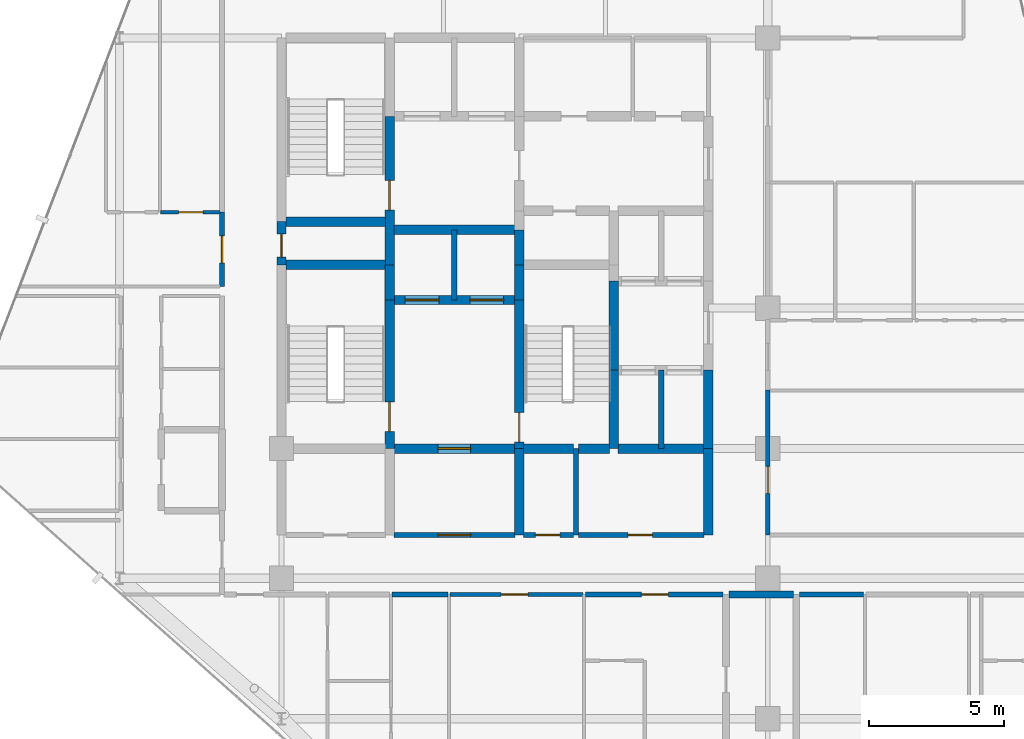
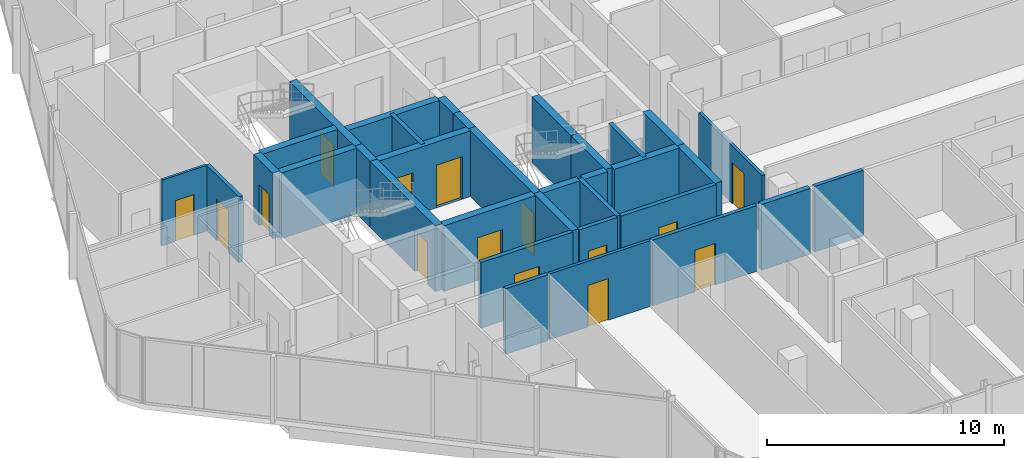
# One storey, part 24 of 29: 34 walls, 15 doors, 15 openings.
"""IFC4 building model written with IfcOpenShell, lengths in metres."""

from ifc_helpers import new_model, si_unit, direction, frame, frame_2d, origin, place, context, subcontext, project, spatial, rectangle, extrude, material, layer, layer_set, type_object, element, fill, save


model = new_model("IFC4")

# Units and contexts
model_context = context("Model", 3, precision=1e-05, world=origin(), true_north=direction((0.0, 1.0)))
body_context = subcontext(model_context, "Body", "Model", "MODEL_VIEW")
ifc_project = project(units=[si_unit("LENGTHUNIT", "METRE"), si_unit("AREAUNIT", "SQUARE_METRE"), si_unit("VOLUMEUNIT", "CUBIC_METRE"), si_unit("PLANEANGLEUNIT", "RADIAN"), si_unit("MASSUNIT", "GRAM", prefix="KILO")], contexts=[model_context])

# Site, building, storey
site_placement = place(None, origin())
site = spatial("IfcSite", under=ifc_project, at=site_placement, CompositionType="ELEMENT")
building_placement = place(site_placement, origin())
building = spatial("IfcBuilding", under=site, at=building_placement, Name="Keshet Zoharim Tower", CompositionType="ELEMENT")
storey_placement = place(building_placement, frame((0.0, 0.0, 188.39990234375)))
storey = spatial("IfcBuildingStorey", under=building, at=storey_placement, Name="L46", CompositionType="ELEMENT", Elevation=188.39990234375)

# Wall, opening, door
ifc_material_1 = material(Name="Gypsum Plasterboard", Category="gypsum")
ifc_layer_1 = layer(ifc_material_1, 0.14990234375)
ifc_layer_set_1 = layer_set([ifc_layer_1], Name="Gypsum Plasterboard")
wall_type_1 = type_object("IfcWallType", Name="WL-CLIN-150", PredefinedType="STANDARD", material=ifc_layer_set_1)
wall_1_placement = place(storey_placement, frame((33.0, 19.510009765625, 0.0), z_axis=(0.0, 0.0, 1.0), x_axis=(0.0, 1.0, 0.0)))
wall_1 = element("IfcWall", 1, at=wall_1_placement, inside=storey, type_object=wall_type_1, Name="L46 Interior Wall 071", PredefinedType="STANDARD", context=body_context, shape_type="SweptSolid", body=[
    extrude(rectangle(XDim=5.35009765625, YDim=0.14990234375, at=frame_2d((2.675048828125, 0.0))), origin(), (0.0, 0.0, 1.0), 2.989990234375),
])
opening_1_placement = place(wall_1_placement, frame((1.533935546875, 0.0, 0.0)))
opening_1 = element("IfcOpeningElement", 2, at=opening_1_placement, cuts=wall_1, Name="Opening D-F310", PredefinedType="OPENING", context=body_context, shape_type="SweptSolid", body=[
    extrude(rectangle(XDim=1.0, YDim=2.14990234375, at=frame_2d((0.5, 1.074951171875))), frame((0.0, 0.0849609375, 0.0), z_axis=(0.0, -1.0, 0.0), x_axis=(1.0, 0.0, 0.0)), (0.0, 0.0, 1.0), 0.169921875),
])
ifc_material_2 = material(Name="Hardwood Timber", Category="wood")
door_type_1 = type_object("IfcDoorType", Name="DR-FD30-100", OperationType="NOTDEFINED", PredefinedType="DOOR", material=ifc_material_2)
door_1_placement = place(opening_1_placement, origin())
door_1 = element("IfcDoor", 3, at=door_1_placement, inside=storey, type_object=door_type_1, Name="L46 South East Residents Services Suite Door 2", OperationType="SINGLE_SWING_LEFT", OverallHeight=2.14990234375, OverallWidth=1.0, PredefinedType="DOOR", context=body_context, shape_type="SweptSolid", body=[
    extrude(rectangle(XDim=1.0, YDim=2.14990234375, at=frame_2d((0.5, 1.074951171875))), frame((0.0, 0.02490234375, 0.0), z_axis=(0.0, -1.0, 0.0), x_axis=(1.0, 0.0, 0.0)), (0.0, 0.0, 1.0), 0.050048828125),
])
fill(opening_1, door_1)

wall_2_placement = place(storey_placement, frame((21.2451171875, 17.300048828125, 0.0), z_axis=(0.0, 0.0, 1.0), x_axis=(1.0, 0.0, 0.0)))
wall_2 = element("IfcWall", 4, at=wall_2_placement, inside=storey, type_object=wall_type_1, Name="L46 Interior Wall 122", PredefinedType="STANDARD", context=body_context, shape_type="SweptSolid", body=[
    extrude(rectangle(XDim=4.909912109375, YDim=0.14990234375, at=frame_2d((2.455078125, 0.0))), origin(), (0.0, 0.0, 1.0), 3.39013671875),
])
opening_2_placement = place(wall_2_placement, frame((1.884033203125, 0.0, 0.0)))
opening_2 = element("IfcOpeningElement", 5, at=opening_2_placement, cuts=wall_2, Name="Opening D-F310", PredefinedType="OPENING", context=body_context, shape_type="SweptSolid", body=[
    extrude(rectangle(XDim=1.0, YDim=2.14990234375, at=frame_2d((0.5, 1.074951171875))), frame((0.0, 0.0849609375, 0.0), z_axis=(0.0, -1.0, 0.0), x_axis=(1.0, 0.0, 0.0)), (0.0, 0.0, 1.0), 0.169921875),
])
door_2_placement = place(opening_2_placement, origin())
door_2 = element("IfcDoor", 6, at=door_2_placement, inside=storey, type_object=door_type_1, Name="L46 Residents Co-Working Office Door", OperationType="SINGLE_SWING_LEFT", OverallHeight=2.14990234375, OverallWidth=1.0, PredefinedType="DOOR", context=body_context, shape_type="SweptSolid", body=[
    extrude(rectangle(XDim=1.0, YDim=2.14990234375, at=frame_2d((0.5, 1.074951171875))), frame((0.0, 0.02490234375, 0.0), z_axis=(0.0, -1.0, 0.0), x_axis=(1.0, 0.0, 0.0)), (0.0, 0.0, 1.0), 0.050048828125),
])
fill(opening_2, door_2)

ifc_material_3 = material(Name="Concrete C60/75", Category="concrete")
ifc_layer_2 = layer(ifc_material_3, 0.35009765625)
ifc_layer_set_2 = layer_set([ifc_layer_2], Name="Concrete C60/75")
wall_type_2 = type_object("IfcWallType", Name="WL-CORE-350", PredefinedType="SHEAR", material=ifc_layer_set_2)
wall_3_placement = place(storey_placement, frame((15.0, 29.5, 0.0), z_axis=(0.0, 0.0, 1.0), x_axis=(0.0, 1.0, 0.0)))
wall_3 = element("IfcWall", 7, at=wall_3_placement, inside=storey, type_object=wall_type_2, Name="L46 Core Shear Wall 018", PredefinedType="SHEAR", context=body_context, shape_type="SweptSolid", body=[
    extrude(rectangle(XDim=1.60009765625, YDim=0.35009765625, at=frame_2d((0.800048828125, 0.0))), origin(), (0.0, 0.0, 1.0), 3.39013671875),
])
opening_3_placement = place(wall_3_placement, frame((0.287109375, 0.0, 0.0)))
opening_3 = element("IfcOpeningElement", 8, at=opening_3_placement, cuts=wall_3, Name="Opening D-RS85", PredefinedType="OPENING", context=body_context, shape_type="SweptSolid", body=[
    extrude(rectangle(XDim=0.85009765625, YDim=2.10009765625, at=frame_2d((0.425048828125, 1.050048828125))), frame((0.0, 0.18505859375, 0.0), z_axis=(0.0, -1.0, 0.0), x_axis=(1.0, 0.0, 0.0)), (0.0, 0.0, 1.0), 0.3701171875),
])
door_type_2 = type_object("IfcDoorType", Name="DR-RIS-085", OperationType="NOTDEFINED", PredefinedType="DOOR", material=ifc_material_2)
door_3_placement = place(opening_3_placement, origin())
door_3 = element("IfcDoor", 9, at=door_3_placement, inside=storey, type_object=door_type_2, Name="L46 Electrical Riser Access Cupboard Door", OperationType="SINGLE_SWING_LEFT", OverallHeight=2.10009765625, OverallWidth=0.85009765625, PredefinedType="DOOR", context=body_context, shape_type="SweptSolid", body=[
    extrude(rectangle(XDim=0.85009765625, YDim=2.10009765625, at=frame_2d((0.425048828125, 1.050048828125))), frame((0.0, 0.02490234375, 0.0), z_axis=(0.0, -1.0, 0.0), x_axis=(1.0, 0.0, 0.0)), (0.0, 0.0, 1.0), 0.050048828125),
])
fill(opening_3, door_3)

wall_4_placement = place(storey_placement, frame((19.0, 22.699951171875, 0.0), z_axis=(0.0, 0.0, 1.0), x_axis=(0.0, 1.0, 0.0)))
wall_4 = element("IfcWall", 10, at=wall_4_placement, inside=storey, type_object=wall_type_2, Name="L46 Core Shear Wall 025", PredefinedType="SHEAR", context=body_context, shape_type="SweptSolid", body=[
    extrude(rectangle(XDim=5.5, YDim=0.35009765625, at=frame_2d((2.75, 0.0))), origin(), (0.0, 0.0, 1.0), 3.39013671875),
])
opening_4_placement = place(wall_4_placement, frame((0.631103515625, 0.0, 0.0)))
opening_4 = element("IfcOpeningElement", 11, at=opening_4_placement, cuts=wall_4, Name="Opening D-F611", PredefinedType="OPENING", context=body_context, shape_type="SweptSolid", body=[
    extrude(rectangle(XDim=1.10009765625, YDim=2.14990234375, at=frame_2d((0.550048828125, 1.074951171875))), frame((0.0, 0.18505859375, 0.0), z_axis=(0.0, -1.0, 0.0), x_axis=(1.0, 0.0, 0.0)), (0.0, 0.0, 1.0), 0.3701171875),
])
door_type_3 = type_object("IfcDoorType", Name="DR-FD60-110", OperationType="NOTDEFINED", PredefinedType="DOOR", material=ifc_material_2)
door_4_placement = place(opening_4_placement, origin())
door_4 = element("IfcDoor", 12, at=door_4_placement, inside=storey, type_object=door_type_3, Name="L46 Exit Stair ST-01 Fire Door", OperationType="SINGLE_SWING_LEFT", OverallHeight=2.14990234375, OverallWidth=1.10009765625, PredefinedType="DOOR", context=body_context, shape_type="SweptSolid", body=[
    extrude(rectangle(XDim=1.10009765625, YDim=2.14990234375, at=frame_2d((0.550048828125, 1.074951171875))), frame((0.0, 0.02490234375, 0.0), z_axis=(0.0, -1.0, 0.0), x_axis=(1.0, 0.0, 0.0)), (0.0, 0.0, 1.0), 0.050048828125),
])
fill(opening_4, door_4)

# Wall
wall_5_placement = place(storey_placement, frame((19.0, 28.199951171875, 0.0), z_axis=(0.0, 0.0, 1.0), x_axis=(0.0, 1.0, 0.0)))
element("IfcWall", 13, at=wall_5_placement, inside=storey, type_object=wall_type_2, Name="L46 Core Shear Wall 026", PredefinedType="SHEAR", context=body_context, shape_type="SweptSolid", body=[
    extrude(rectangle(XDim=1.300048828125, YDim=0.35009765625, at=frame_2d((0.64990234375, 0.0))), origin(), (0.0, 0.0, 1.0), 3.39013671875),
])

# Wall, opening, door
wall_6_placement = place(storey_placement, frame((19.0, 29.5, 0.0), z_axis=(0.0, 0.0, 1.0), x_axis=(0.0, 1.0, 0.0)))
wall_6 = element("IfcWall", 14, at=wall_6_placement, inside=storey, type_object=wall_type_2, Name="L46 Core Shear Wall 027", PredefinedType="SHEAR", context=body_context, shape_type="SweptSolid", body=[
    extrude(rectangle(XDim=5.5, YDim=0.35009765625, at=frame_2d((2.75, 0.0))), origin(), (0.0, 0.0, 1.0), 3.39013671875),
])
opening_5_placement = place(wall_6_placement, frame((2.02490234375, 0.0, 0.0)))
opening_5 = element("IfcOpeningElement", 15, at=opening_5_placement, cuts=wall_6, Name="Opening D-F611", PredefinedType="OPENING", context=body_context, shape_type="SweptSolid", body=[
    extrude(rectangle(XDim=1.10009765625, YDim=2.14990234375, at=frame_2d((0.550048828125, 1.074951171875))), frame((0.0, 0.18505859375, 0.0), z_axis=(0.0, -1.0, 0.0), x_axis=(1.0, 0.0, 0.0)), (0.0, 0.0, 1.0), 0.3701171875),
])
door_5_placement = place(opening_5_placement, origin())
door_5 = element("IfcDoor", 16, at=door_5_placement, inside=storey, type_object=door_type_3, Name="L46 Exit Stair ST-02 Fire Door", OperationType="SINGLE_SWING_RIGHT", OverallHeight=2.14990234375, OverallWidth=1.10009765625, PredefinedType="DOOR", context=body_context, shape_type="SweptSolid", body=[
    extrude(rectangle(XDim=1.10009765625, YDim=2.14990234375, at=frame_2d((0.550048828125, 1.074951171875))), frame((0.0, 0.02490234375, 0.0), z_axis=(0.0, -1.0, 0.0), x_axis=(1.0, 0.0, 0.0)), (0.0, 0.0, 1.0), 0.050048828125),
])
fill(opening_5, door_5)

# Wall
wall_7_placement = place(storey_placement, frame((23.800048828125, 19.5, 0.0), z_axis=(0.0, 0.0, 1.0), x_axis=(0.0, 1.0, 0.0)))
element("IfcWall", 17, at=wall_7_placement, inside=storey, type_object=wall_type_2, Name="L46 Core Shear Wall 037", PredefinedType="SHEAR", context=body_context, shape_type="SweptSolid", body=[
    extrude(rectangle(XDim=3.199951171875, YDim=0.35009765625, at=frame_2d((1.60009765625, 0.0))), origin(), (0.0, 0.0, 1.0), 3.39013671875),
])

# Wall, opening, door
wall_8_placement = place(storey_placement, frame((23.800048828125, 22.699951171875, 0.0), z_axis=(0.0, 0.0, 1.0), x_axis=(0.0, 1.0, 0.0)))
wall_8 = element("IfcWall", 18, at=wall_8_placement, inside=storey, type_object=wall_type_2, Name="L46 Core Shear Wall 038", PredefinedType="SHEAR", context=body_context, shape_type="SweptSolid", body=[
    extrude(rectangle(XDim=5.5, YDim=0.35009765625, at=frame_2d((2.75, 0.0))), origin(), (0.0, 0.0, 1.0), 3.39013671875),
])
opening_6_placement = place(wall_8_placement, frame((0.235107421875, 0.0, 0.0)))
opening_6 = element("IfcOpeningElement", 19, at=opening_6_placement, cuts=wall_8, Name="Opening D-F611", PredefinedType="OPENING", context=body_context, shape_type="SweptSolid", body=[
    extrude(rectangle(XDim=1.10009765625, YDim=2.14990234375, at=frame_2d((0.550048828125, 1.074951171875))), frame((0.0, 0.18505859375, 0.0), z_axis=(0.0, -1.0, 0.0), x_axis=(1.0, 0.0, 0.0)), (0.0, 0.0, 1.0), 0.3701171875),
])
door_6_placement = place(opening_6_placement, frame((1.10009765625, 0.0, 0.0), z_axis=(0.0, 0.0, 1.0), x_axis=(-1.0, 0.0, 0.0)))
door_6 = element("IfcDoor", 20, at=door_6_placement, inside=storey, type_object=door_type_3, Name="L46 Exit Stair ST-03 Fire Door", OperationType="SINGLE_SWING_RIGHT", OverallHeight=2.14990234375, OverallWidth=1.10009765625, PredefinedType="DOOR", context=body_context, shape_type="SweptSolid", body=[
    extrude(rectangle(XDim=1.10009765625, YDim=2.14990234375, at=frame_2d((0.550048828125, 1.074951171875))), frame((0.0, 0.02490234375, 0.0), z_axis=(0.0, -1.0, 0.0), x_axis=(1.0, 0.0, 0.0)), (0.0, 0.0, 1.0), 0.050048828125),
])
fill(opening_6, door_6)

# Walls
for number, where, z_axis, x_axis, name in (
    (21, (23.800048828125, 28.199951171875, 0.0), (0.0, 0.0, 1.0), (0.0, 1.0, 0.0), "L46 Core Shear Wall 039"),
    (22, (23.800048828125, 29.5, 0.0), (0.0, 0.0, 1.0), (0.0, 1.0, 0.0), "L46 Core Shear Wall 040"),
):
    element("IfcWall", number, at=place(storey_placement, frame(where, z_axis=z_axis, x_axis=x_axis)), inside=storey, type_object=wall_type_2, Name=name, PredefinedType="SHEAR", context=body_context, shape_type="SweptSolid", body=[
        extrude(rectangle(XDim=1.300048828125, YDim=0.35009765625, at=frame_2d((0.64990234375, 0.0))), origin(), (0.0, 0.0, 1.0), 3.39013671875),
    ])
wall_9_placement = place(storey_placement, frame((27.300048828125, 22.699951171875, 0.0), z_axis=(0.0, 0.0, 1.0), x_axis=(0.0, 1.0, 0.0)))
element("IfcWall", 23, at=wall_9_placement, inside=storey, type_object=wall_type_2, Name="L46 Core Shear Wall 050", PredefinedType="SHEAR", context=body_context, shape_type="SweptSolid", body=[
    extrude(rectangle(XDim=2.900146484375, YDim=0.35009765625, at=frame_2d((1.4501953125, 0.0))), origin(), (0.0, 0.0, 1.0), 3.39013671875),
])
wall_10_placement = place(storey_placement, frame((27.300048828125, 25.60009765625, 0.0), z_axis=(0.0, 0.0, 1.0), x_axis=(0.0, 1.0, 0.0)))
element("IfcWall", 24, at=wall_10_placement, inside=storey, type_object=wall_type_2, Name="L46 Core Shear Wall 051", PredefinedType="SHEAR", context=body_context, shape_type="SweptSolid", body=[
    extrude(rectangle(XDim=3.2998046875, YDim=0.35009765625, at=frame_2d((1.64990234375, 0.0))), origin(), (0.0, 0.0, 1.0), 3.39013671875),
])
wall_11_placement = place(storey_placement, frame((30.800048828125, 19.5, 0.0), z_axis=(0.0, 0.0, 1.0), x_axis=(0.0, 1.0, 0.0)))
element("IfcWall", 25, at=wall_11_placement, inside=storey, type_object=wall_type_2, Name="L46 Core Shear Wall 059", PredefinedType="SHEAR", context=body_context, shape_type="SweptSolid", body=[
    extrude(rectangle(XDim=3.199951171875, YDim=0.35009765625, at=frame_2d((1.60009765625, 0.0))), origin(), (0.0, 0.0, 1.0), 3.39013671875),
])
wall_12_placement = place(storey_placement, frame((30.800048828125, 22.699951171875, 0.0), z_axis=(0.0, 0.0, 1.0), x_axis=(0.0, 1.0, 0.0)))
element("IfcWall", 26, at=wall_12_placement, inside=storey, type_object=wall_type_2, Name="L46 Core Shear Wall 060", PredefinedType="SHEAR", context=body_context, shape_type="SweptSolid", body=[
    extrude(rectangle(XDim=2.900146484375, YDim=0.35009765625, at=frame_2d((1.4501953125, 0.0))), origin(), (0.0, 0.0, 1.0), 3.39013671875),
])

# Wall, opening, door
wall_13_placement = place(storey_placement, frame((19.159912109375, 22.699951171875, 0.0), z_axis=(0.0, 0.0, 1.0), x_axis=(1.0, 0.0, 0.0)))
wall_13 = element("IfcWall", 27, at=wall_13_placement, inside=storey, type_object=wall_type_2, Name="L46 Core Shear Wall 142", PredefinedType="SHEAR", context=body_context, shape_type="SweptSolid", body=[
    extrude(rectangle(XDim=4.47998046875, YDim=0.35009765625, at=frame_2d((2.239990234375, 0.0))), origin(), (0.0, 0.0, 1.0), 3.39013671875),
])
opening_7_placement = place(wall_13_placement, frame((1.639892578125, 0.0, 0.0)))
opening_7 = element("IfcOpeningElement", 28, at=opening_7_placement, cuts=wall_13, Name="Opening D-F612", PredefinedType="OPENING", context=body_context, shape_type="SweptSolid", body=[
    extrude(rectangle(XDim=1.199951171875, YDim=2.199951171875, at=frame_2d((0.60009765625, 1.10009765625))), frame((0.0, 0.18505859375, 0.0), z_axis=(0.0, -1.0, 0.0), x_axis=(1.0, 0.0, 0.0)), (0.0, 0.0, 1.0), 0.3701171875),
])
door_type_4 = type_object("IfcDoorType", Name="DR-FD60-120", OperationType="NOTDEFINED", PredefinedType="DOOR", material=ifc_material_2)
door_7_placement = place(opening_7_placement, origin())
door_7 = element("IfcDoor", 29, at=door_7_placement, inside=storey, type_object=door_type_4, Name="L46 South Core Lobby Fire Door", OperationType="SINGLE_SWING_LEFT", OverallHeight=2.199951171875, OverallWidth=1.199951171875, PredefinedType="DOOR", context=body_context, shape_type="SweptSolid", body=[
    extrude(rectangle(XDim=1.199951171875, YDim=2.199951171875, at=frame_2d((0.60009765625, 1.10009765625))), frame((0.0, 0.02490234375, 0.0), z_axis=(0.0, -1.0, 0.0), x_axis=(1.0, 0.0, 0.0)), (0.0, 0.0, 1.0), 0.050048828125),
])
fill(opening_7, door_7)

# Walls
wall_14_placement = place(storey_placement, frame((23.9599609375, 22.699951171875, 0.0), z_axis=(0.0, 0.0, 1.0), x_axis=(1.0, 0.0, 0.0)))
element("IfcWall", 30, at=wall_14_placement, inside=storey, type_object=wall_type_2, Name="L46 Core Shear Wall 143", PredefinedType="SHEAR", context=body_context, shape_type="SweptSolid", body=[
    extrude(rectangle(XDim=1.85498046875, YDim=0.35009765625, at=frame_2d((0.927490234375, 0.0))), origin(), (0.0, 0.0, 1.0), 3.39013671875),
])
wall_15_placement = place(storey_placement, frame((25.985107421875, 22.699951171875, 0.0), z_axis=(0.0, 0.0, 1.0), x_axis=(1.0, 0.0, 0.0)))
element("IfcWall", 31, at=wall_15_placement, inside=storey, type_object=wall_type_2, Name="L46 Core Shear Wall 144", PredefinedType="SHEAR", context=body_context, shape_type="SweptSolid", body=[
    extrude(rectangle(XDim=1.15478515625, YDim=0.35009765625, at=frame_2d((0.577392578125, 0.0))), origin(), (0.0, 0.0, 1.0), 3.39013671875),
])
wall_16_placement = place(storey_placement, frame((27.4599609375, 22.699951171875, 0.0), z_axis=(0.0, 0.0, 1.0), x_axis=(1.0, 0.0, 0.0)))
element("IfcWall", 32, at=wall_16_placement, inside=storey, type_object=wall_type_2, Name="L46 Core Shear Wall 145", PredefinedType="SHEAR", context=body_context, shape_type="SweptSolid", body=[
    extrude(rectangle(XDim=3.179931640625, YDim=0.35009765625, at=frame_2d((1.58984375, 0.0))), origin(), (0.0, 0.0, 1.0), 3.39013671875),
])

# Wall, openings, doors
wall_17_placement = place(storey_placement, frame((19.159912109375, 28.199951171875, 0.0), z_axis=(0.0, 0.0, 1.0), x_axis=(1.0, 0.0, 0.0)))
wall_17 = element("IfcWall", 33, at=wall_17_placement, inside=storey, type_object=wall_type_2, Name="L46 Core Shear Wall 155", PredefinedType="SHEAR", context=body_context, shape_type="SweptSolid", body=[
    extrude(rectangle(XDim=4.47998046875, YDim=0.35009765625, at=frame_2d((2.239990234375, 0.0))), origin(), (0.0, 0.0, 1.0), 3.39013671875),
])
opening_8_placement = place(wall_17_placement, frame((0.4150390625, 0.0, 0.0)))
opening_8 = element("IfcOpeningElement", 34, at=opening_8_placement, cuts=wall_17, Name="Opening LD-01", PredefinedType="OPENING", context=body_context, shape_type="SweptSolid", body=[
    extrude(rectangle(XDim=1.25, YDim=2.199951171875, at=frame_2d((0.625, 1.10009765625))), frame((0.0, 0.18505859375, 0.0), z_axis=(0.0, -1.0, 0.0), x_axis=(1.0, 0.0, 0.0)), (0.0, 0.0, 1.0), 0.3701171875),
])
opening_9_placement = place(wall_17_placement, frame((2.81494140625, 0.0, 0.0)))
opening_9 = element("IfcOpeningElement", 35, at=opening_9_placement, cuts=wall_17, Name="Opening LD-01", PredefinedType="OPENING", context=body_context, shape_type="SweptSolid", body=[
    extrude(rectangle(XDim=1.25, YDim=2.199951171875, at=frame_2d((0.625, 1.10009765625))), frame((0.0, 0.18505859375, 0.0), z_axis=(0.0, -1.0, 0.0), x_axis=(1.0, 0.0, 0.0)), (0.0, 0.0, 1.0), 0.3701171875),
])
ifc_material_4 = material(Name="Steel S355", Category="steel")
door_type_5 = type_object("IfcDoorType", Name="DR-LD01-125", OperationType="DOUBLE_DOOR_SLIDING", PredefinedType="DOOR", material=ifc_material_4)
door_8_placement = place(opening_8_placement, origin())
door_8 = element("IfcDoor", 36, at=door_8_placement, inside=storey, type_object=door_type_5, Name="L46 Passenger Lift Landing Door LF-09", OperationType="DOUBLE_DOOR_SLIDING", OverallHeight=2.199951171875, OverallWidth=1.25, PredefinedType="DOOR", context=body_context, shape_type="SweptSolid", body=[
    extrude(rectangle(XDim=1.25, YDim=2.199951171875, at=frame_2d((0.625, 1.10009765625))), frame((0.0, 0.02490234375, 0.0), z_axis=(0.0, -1.0, 0.0), x_axis=(1.0, 0.0, 0.0)), (0.0, 0.0, 1.0), 0.050048828125),
])
fill(opening_8, door_8)
door_9_placement = place(opening_9_placement, origin())
door_9 = element("IfcDoor", 37, at=door_9_placement, inside=storey, type_object=door_type_5, Name="L46 Passenger Lift Landing Door LF-10", OperationType="DOUBLE_DOOR_SLIDING", OverallHeight=2.199951171875, OverallWidth=1.25, PredefinedType="DOOR", context=body_context, shape_type="SweptSolid", body=[
    extrude(rectangle(XDim=1.25, YDim=2.199951171875, at=frame_2d((0.625, 1.10009765625))), frame((0.0, 0.02490234375, 0.0), z_axis=(0.0, -1.0, 0.0), x_axis=(1.0, 0.0, 0.0)), (0.0, 0.0, 1.0), 0.050048828125),
])
fill(opening_9, door_9)

# Walls
wall_18_placement = place(storey_placement, frame((15.159912109375, 29.5, 0.0), z_axis=(0.0, 0.0, 1.0), x_axis=(1.0, 0.0, 0.0)))
element("IfcWall", 38, at=wall_18_placement, inside=storey, type_object=wall_type_2, Name="L46 Core Shear Wall 161", PredefinedType="SHEAR", context=body_context, shape_type="SweptSolid", body=[
    extrude(rectangle(XDim=3.68017578125, YDim=0.35009765625, at=frame_2d((1.840087890625, 0.0))), origin(), (0.0, 0.0, 1.0), 3.39013671875),
])
wall_19_placement = place(storey_placement, frame((19.159912109375, 30.800048828125, 0.0), z_axis=(0.0, 0.0, 1.0), x_axis=(1.0, 0.0, 0.0)))
element("IfcWall", 39, at=wall_19_placement, inside=storey, type_object=wall_type_2, Name="L46 Core Shear Wall 163", PredefinedType="SHEAR", context=body_context, shape_type="SweptSolid", body=[
    extrude(rectangle(XDim=4.47998046875, YDim=0.35009765625, at=frame_2d((2.239990234375, 0.0))), origin(), (0.0, 0.0, 1.0), 3.39013671875),
])
wall_20_placement = place(storey_placement, frame((15.159912109375, 31.10009765625, 0.0), z_axis=(0.0, 0.0, 1.0), x_axis=(1.0, 0.0, 0.0)))
element("IfcWall", 40, at=wall_20_placement, inside=storey, type_object=wall_type_2, Name="L46 Core Shear Wall 164", PredefinedType="SHEAR", context=body_context, shape_type="SweptSolid", body=[
    extrude(rectangle(XDim=3.68017578125, YDim=0.35009765625, at=frame_2d((1.840087890625, 0.0))), origin(), (0.0, 0.0, 1.0), 3.39013671875),
])

# Wall, opening, door
ifc_layer_3 = layer(ifc_material_1, 0.179931640625)
ifc_layer_set_3 = layer_set([ifc_layer_3], Name="Gypsum Plasterboard")
wall_type_3 = type_object("IfcWallType", Name="WL-CORR-180", PredefinedType="STANDARD", material=ifc_layer_set_3)
wall_21_placement = place(storey_placement, frame((12.800048828125, 28.699951171875, 0.0), z_axis=(0.0, 0.0, 1.0), x_axis=(0.0, 1.0, 0.0)))
wall_21 = element("IfcWall", 41, at=wall_21_placement, inside=storey, type_object=wall_type_3, Name="L46 Interior Wall 011", PredefinedType="STANDARD", context=body_context, shape_type="SweptSolid", body=[
    extrude(rectangle(XDim=2.75, YDim=0.179931640625, at=frame_2d((1.375, 0.0))), origin(), (0.0, 0.0, 1.0), 3.39013671875),
])
opening_10_placement = place(wall_21_placement, frame((0.875, 0.0, 0.0)))
opening_10 = element("IfcOpeningElement", 42, at=opening_10_placement, cuts=wall_21, Name="Opening D-F310", PredefinedType="OPENING", context=body_context, shape_type="SweptSolid", body=[
    extrude(rectangle(XDim=1.0, YDim=2.14990234375, at=frame_2d((0.5, 1.074951171875))), frame((0.0, 0.10009765625, 0.0), z_axis=(0.0, -1.0, 0.0), x_axis=(1.0, 0.0, 0.0)), (0.0, 0.0, 1.0), 0.199951171875),
])
door_10_placement = place(opening_10_placement, origin())
door_10 = element("IfcDoor", 43, at=door_10_placement, inside=storey, type_object=door_type_1, Name="Apartment 4607 Entrance Door", OperationType="SINGLE_SWING_RIGHT", OverallHeight=2.14990234375, OverallWidth=1.0, PredefinedType="DOOR", context=body_context, shape_type="SweptSolid", body=[
    extrude(rectangle(XDim=1.0, YDim=2.14990234375, at=frame_2d((0.5, 1.074951171875))), frame((0.0, 0.02490234375, 0.0), z_axis=(0.0, -1.0, 0.0), x_axis=(1.0, 0.0, 0.0)), (0.0, 0.0, 1.0), 0.050048828125),
])
fill(opening_10, door_10)

# Wall
wall_22_placement = place(storey_placement, frame((19.094970703125, 17.300048828125, 0.0), z_axis=(0.0, 0.0, 1.0), x_axis=(1.0, 0.0, 0.0)))
element("IfcWall", 44, at=wall_22_placement, inside=storey, type_object=wall_type_3, Name="L46 Interior Wall 121", PredefinedType="STANDARD", context=body_context, shape_type="SweptSolid", body=[
    extrude(rectangle(XDim=2.06005859375, YDim=0.179931640625, at=frame_2d((1.030029296875, 0.0))), origin(), (0.0, 0.0, 1.0), 3.39013671875),
])

# Wall, opening, door
wall_23_placement = place(storey_placement, frame((26.2451171875, 17.300048828125, 0.0), z_axis=(0.0, 0.0, 1.0), x_axis=(1.0, 0.0, 0.0)))
wall_23 = element("IfcWall", 45, at=wall_23_placement, inside=storey, type_object=wall_type_3, Name="L46 Interior Wall 123", PredefinedType="STANDARD", context=body_context, shape_type="SweptSolid", body=[
    extrude(rectangle(XDim=5.094970703125, YDim=0.179931640625, at=frame_2d((2.54736328125, 0.0))), origin(), (0.0, 0.0, 1.0), 3.39013671875),
])
opening_11_placement = place(wall_23_placement, frame((2.080078125, 0.0, 0.0)))
opening_11 = element("IfcOpeningElement", 46, at=opening_11_placement, cuts=wall_23, Name="Opening D-F310", PredefinedType="OPENING", context=body_context, shape_type="SweptSolid", body=[
    extrude(rectangle(XDim=1.0, YDim=2.14990234375, at=frame_2d((0.5, 1.074951171875))), frame((0.0, 0.10009765625, 0.0), z_axis=(0.0, -1.0, 0.0), x_axis=(1.0, 0.0, 0.0)), (0.0, 0.0, 1.0), 0.199951171875),
])
door_11_placement = place(opening_11_placement, origin())
door_11 = element("IfcDoor", 47, at=door_11_placement, inside=storey, type_object=door_type_1, Name="Apartment 4602 Entrance Door", OperationType="SINGLE_SWING_RIGHT", OverallHeight=2.14990234375, OverallWidth=1.0, PredefinedType="DOOR", context=body_context, shape_type="SweptSolid", body=[
    extrude(rectangle(XDim=1.0, YDim=2.14990234375, at=frame_2d((0.5, 1.074951171875))), frame((0.0, 0.02490234375, 0.0), z_axis=(0.0, -1.0, 0.0), x_axis=(1.0, 0.0, 0.0)), (0.0, 0.0, 1.0), 0.050048828125),
])
fill(opening_11, door_11)

# Walls
wall_24_placement = place(storey_placement, frame((34.173095703125, 17.300048828125, 0.0), z_axis=(0.0, 0.0, 1.0), x_axis=(1.0, 0.0, 0.0)))
element("IfcWall", 48, at=wall_24_placement, inside=storey, type_object=wall_type_3, Name="L46 Interior Wall 125", PredefinedType="STANDARD", context=body_context, shape_type="SweptSolid", body=[
    extrude(rectangle(XDim=2.367919921875, YDim=0.179931640625, at=frame_2d((1.18408203125, 0.0))), origin(), (0.0, 0.0, 1.0), 3.39013671875),
])
ifc_material_5 = material(Name="Concrete C50/60", Category="concrete")
ifc_layer_4 = layer(ifc_material_5, 0.199951171875)
ifc_layer_set_4 = layer_set([ifc_layer_4], Name="Concrete C50/60")
wall_type_4 = type_object("IfcWallType", Name="WL-FIRE-200", PredefinedType="STANDARD", material=ifc_layer_set_4)
wall_25_placement = place(storey_placement, frame((21.39990234375, 28.199951171875, 0.0), z_axis=(0.0, 0.0, 1.0), x_axis=(0.0, 1.0, 0.0)))
element("IfcWall", 49, at=wall_25_placement, inside=storey, type_object=wall_type_4, Name="L46 Interior Wall 034", PredefinedType="STANDARD", context=body_context, shape_type="SweptSolid", body=[
    extrude(rectangle(XDim=2.60009765625, YDim=0.199951171875, at=frame_2d((1.300048828125, 0.0))), origin(), (0.0, 0.0, 1.0), 3.39013671875),
])
wall_26_placement = place(storey_placement, frame((25.89990234375, 19.5, 0.0), z_axis=(0.0, 0.0, 1.0), x_axis=(0.0, 1.0, 0.0)))
element("IfcWall", 50, at=wall_26_placement, inside=storey, type_object=wall_type_4, Name="L46 Interior Wall 045", PredefinedType="STANDARD", context=body_context, shape_type="SweptSolid", body=[
    extrude(rectangle(XDim=3.199951171875, YDim=0.199951171875, at=frame_2d((1.60009765625, 0.0))), origin(), (0.0, 0.0, 1.0), 3.39013671875),
])
wall_27_placement = place(storey_placement, frame((29.050048828125, 22.699951171875, 0.0), z_axis=(0.0, 0.0, 1.0), x_axis=(0.0, 1.0, 0.0)))
element("IfcWall", 51, at=wall_27_placement, inside=storey, type_object=wall_type_4, Name="L46 Interior Wall 057", PredefinedType="STANDARD", context=body_context, shape_type="SweptSolid", body=[
    extrude(rectangle(XDim=2.900146484375, YDim=0.199951171875, at=frame_2d((1.4501953125, 0.0))), origin(), (0.0, 0.0, 1.0), 3.39013671875),
])

# Wall, opening, door
wall_28_placement = place(storey_placement, frame((19.159912109375, 19.5, 0.0), z_axis=(0.0, 0.0, 1.0), x_axis=(1.0, 0.0, 0.0)))
wall_28 = element("IfcWall", 52, at=wall_28_placement, inside=storey, type_object=wall_type_4, Name="L46 Interior Wall 134", PredefinedType="STANDARD", context=body_context, shape_type="SweptSolid", body=[
    extrude(rectangle(XDim=4.47998046875, YDim=0.199951171875, at=frame_2d((2.239990234375, 0.0))), origin(), (0.0, 0.0, 1.0), 3.39013671875),
])
opening_12_placement = place(wall_28_placement, frame((1.639892578125, 0.0, 0.0)))
opening_12 = element("IfcOpeningElement", 53, at=opening_12_placement, cuts=wall_28, Name="Opening D-F612", PredefinedType="OPENING", context=body_context, shape_type="SweptSolid", body=[
    extrude(rectangle(XDim=1.199951171875, YDim=2.199951171875, at=frame_2d((0.60009765625, 1.10009765625))), frame((0.0, 0.10986328125, 0.0), z_axis=(0.0, -1.0, 0.0), x_axis=(1.0, 0.0, 0.0)), (0.0, 0.0, 1.0), 0.219970703125),
])
door_12_placement = place(opening_12_placement, origin())
door_12 = element("IfcDoor", 54, at=door_12_placement, inside=storey, type_object=door_type_4, Name="L46 South Vestibule Corridor Door", OperationType="SINGLE_SWING_LEFT", OverallHeight=2.199951171875, OverallWidth=1.199951171875, PredefinedType="DOOR", context=body_context, shape_type="SweptSolid", body=[
    extrude(rectangle(XDim=1.199951171875, YDim=2.199951171875, at=frame_2d((0.60009765625, 1.10009765625))), frame((0.0, 0.02490234375, 0.0), z_axis=(0.0, -1.0, 0.0), x_axis=(1.0, 0.0, 0.0)), (0.0, 0.0, 1.0), 0.050048828125),
])
fill(opening_12, door_12)

wall_29_placement = place(storey_placement, frame((23.9599609375, 19.5, 0.0), z_axis=(0.0, 0.0, 1.0), x_axis=(1.0, 0.0, 0.0)))
wall_29 = element("IfcWall", 55, at=wall_29_placement, inside=storey, type_object=wall_type_4, Name="L46 Interior Wall 135", PredefinedType="STANDARD", context=body_context, shape_type="SweptSolid", body=[
    extrude(rectangle(XDim=1.85498046875, YDim=0.199951171875, at=frame_2d((0.927490234375, 0.0))), origin(), (0.0, 0.0, 1.0), 3.39013671875),
])
opening_13_placement = place(wall_29_placement, frame((0.43994140625, 0.0, 0.0)))
opening_13 = element("IfcOpeningElement", 56, at=opening_13_placement, cuts=wall_29, Name="Opening D-F690", PredefinedType="OPENING", context=body_context, shape_type="SweptSolid", body=[
    extrude(rectangle(XDim=0.89990234375, YDim=2.14990234375, at=frame_2d((0.449951171875, 1.074951171875))), frame((0.0, 0.10986328125, 0.0), z_axis=(0.0, -1.0, 0.0), x_axis=(1.0, 0.0, 0.0)), (0.0, 0.0, 1.0), 0.219970703125),
])
door_type_6 = type_object("IfcDoorType", Name="DR-FD60-090", OperationType="NOTDEFINED", PredefinedType="DOOR", material=ifc_material_2)
door_13_placement = place(opening_13_placement, origin())
door_13 = element("IfcDoor", 57, at=door_13_placement, inside=storey, type_object=door_type_6, Name="L46 Cleaners Store Door", OperationType="SINGLE_SWING_RIGHT", OverallHeight=2.14990234375, OverallWidth=0.89990234375, PredefinedType="DOOR", context=body_context, shape_type="SweptSolid", body=[
    extrude(rectangle(XDim=0.89990234375, YDim=2.14990234375, at=frame_2d((0.449951171875, 1.074951171875))), frame((0.0, 0.02490234375, 0.0), z_axis=(0.0, -1.0, 0.0), x_axis=(1.0, 0.0, 0.0)), (0.0, 0.0, 1.0), 0.050048828125),
])
fill(opening_13, door_13)

wall_30_placement = place(storey_placement, frame((25.985107421875, 19.5, 0.0), z_axis=(0.0, 0.0, 1.0), x_axis=(1.0, 0.0, 0.0)))
wall_30 = element("IfcWall", 58, at=wall_30_placement, inside=storey, type_object=wall_type_4, Name="L46 Interior Wall 136", PredefinedType="STANDARD", context=body_context, shape_type="SweptSolid", body=[
    extrude(rectangle(XDim=4.65478515625, YDim=0.199951171875, at=frame_2d((2.327392578125, 0.0))), origin(), (0.0, 0.0, 1.0), 3.39013671875),
])
opening_14_placement = place(wall_30_placement, frame((1.844970703125, 0.0, 0.0)))
opening_14 = element("IfcOpeningElement", 59, at=opening_14_placement, cuts=wall_30, Name="Opening D-F690", PredefinedType="OPENING", context=body_context, shape_type="SweptSolid", body=[
    extrude(rectangle(XDim=0.89990234375, YDim=2.14990234375, at=frame_2d((0.449951171875, 1.074951171875))), frame((0.0, 0.10986328125, 0.0), z_axis=(0.0, -1.0, 0.0), x_axis=(1.0, 0.0, 0.0)), (0.0, 0.0, 1.0), 0.219970703125),
])
door_14_placement = place(opening_14_placement, origin())
door_14 = element("IfcDoor", 60, at=door_14_placement, inside=storey, type_object=door_type_6, Name="L46 Meter Room Door", OperationType="SINGLE_SWING_LEFT", OverallHeight=2.14990234375, OverallWidth=0.89990234375, PredefinedType="DOOR", context=body_context, shape_type="SweptSolid", body=[
    extrude(rectangle(XDim=0.89990234375, YDim=2.14990234375, at=frame_2d((0.449951171875, 1.074951171875))), frame((0.0, 0.02490234375, 0.0), z_axis=(0.0, -1.0, 0.0), x_axis=(1.0, 0.0, 0.0)), (0.0, 0.0, 1.0), 0.050048828125),
])
fill(opening_14, door_14)

# Wall
ifc_layer_5 = layer(ifc_material_5, 0.25)
ifc_layer_set_5 = layer_set([ifc_layer_5], Name="Concrete C50/60")
wall_type_5 = type_object("IfcWallType", Name="WL-MAMAD-250", PredefinedType="STANDARD", material=ifc_layer_set_5)
wall_31_placement = place(storey_placement, frame((31.56005859375, 17.300048828125, 0.0), z_axis=(0.0, 0.0, 1.0), x_axis=(1.0, 0.0, 0.0)))
element("IfcWall", 61, at=wall_31_placement, inside=storey, type_object=wall_type_5, Name="L46 Interior Wall 124", PredefinedType="STANDARD", context=body_context, shape_type="SweptSolid", body=[
    extrude(rectangle(XDim=2.392822265625, YDim=0.25, at=frame_2d((1.1962890625, 0.0))), origin(), (0.0, 0.0, 1.0), 3.39013671875),
])

# Wall, opening, door
ifc_layer_6 = layer(ifc_material_1, 0.1201171875)
ifc_layer_set_6 = layer_set([ifc_layer_6], Name="Gypsum Plasterboard")
wall_type_6 = type_object("IfcWallType", Name="WL-WET-120", PredefinedType="PARTITIONING", material=ifc_layer_set_6)
wall_32_placement = place(storey_placement, frame((10.52294921875, 31.449951171875, 0.0), z_axis=(0.0, 0.0, 1.0), x_axis=(1.0, 0.0, 0.0)))
wall_32 = element("IfcWall", 62, at=wall_32_placement, inside=storey, type_object=wall_type_6, Name="L46 Interior Wall 166", PredefinedType="PARTITIONING", context=body_context, shape_type="SweptSolid", body=[
    extrude(rectangle(XDim=2.2021484375, YDim=0.1201171875, at=frame_2d((1.10107421875, 0.0))), origin(), (0.0, 0.0, 1.0), 3.39013671875),
])
opening_15_placement = place(wall_32_placement, frame((0.666015625, 0.0, 0.0)))
opening_15 = element("IfcOpeningElement", 63, at=opening_15_placement, cuts=wall_32, Name="Opening D-WT90", PredefinedType="OPENING", context=body_context, shape_type="SweptSolid", body=[
    extrude(rectangle(XDim=0.89990234375, YDim=2.10009765625, at=frame_2d((0.449951171875, 1.050048828125))), frame((0.0, 0.070068359375, 0.0), z_axis=(0.0, -1.0, 0.0), x_axis=(1.0, 0.0, 0.0)), (0.0, 0.0, 1.0), 0.14013671875),
])
door_type_7 = type_object("IfcDoorType", Name="DR-WET-090", OperationType="NOTDEFINED", PredefinedType="DOOR", material=ifc_material_2)
door_15_placement = place(opening_15_placement, origin())
door_15 = element("IfcDoor", 64, at=door_15_placement, inside=storey, type_object=door_type_7, Name="Apartment 4607 Bathroom Door", OperationType="SINGLE_SWING_RIGHT", OverallHeight=2.10009765625, OverallWidth=0.89990234375, PredefinedType="DOOR", context=body_context, shape_type="SweptSolid", body=[
    extrude(rectangle(XDim=0.89990234375, YDim=2.10009765625, at=frame_2d((0.449951171875, 1.050048828125))), frame((0.0, 0.02490234375, 0.0), z_axis=(0.0, -1.0, 0.0), x_axis=(1.0, 0.0, 0.0)), (0.0, 0.0, 1.0), 0.050048828125),
])
fill(opening_15, door_15)

save(model, "model.ifc")
